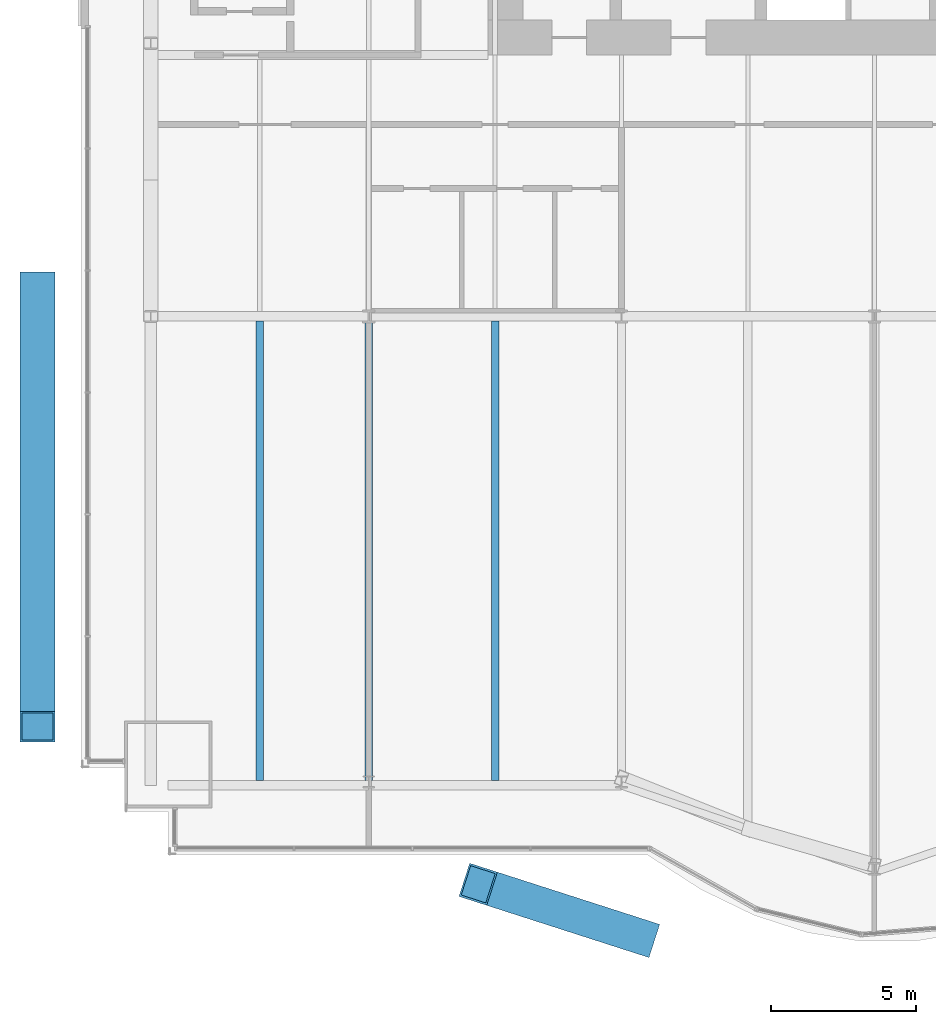
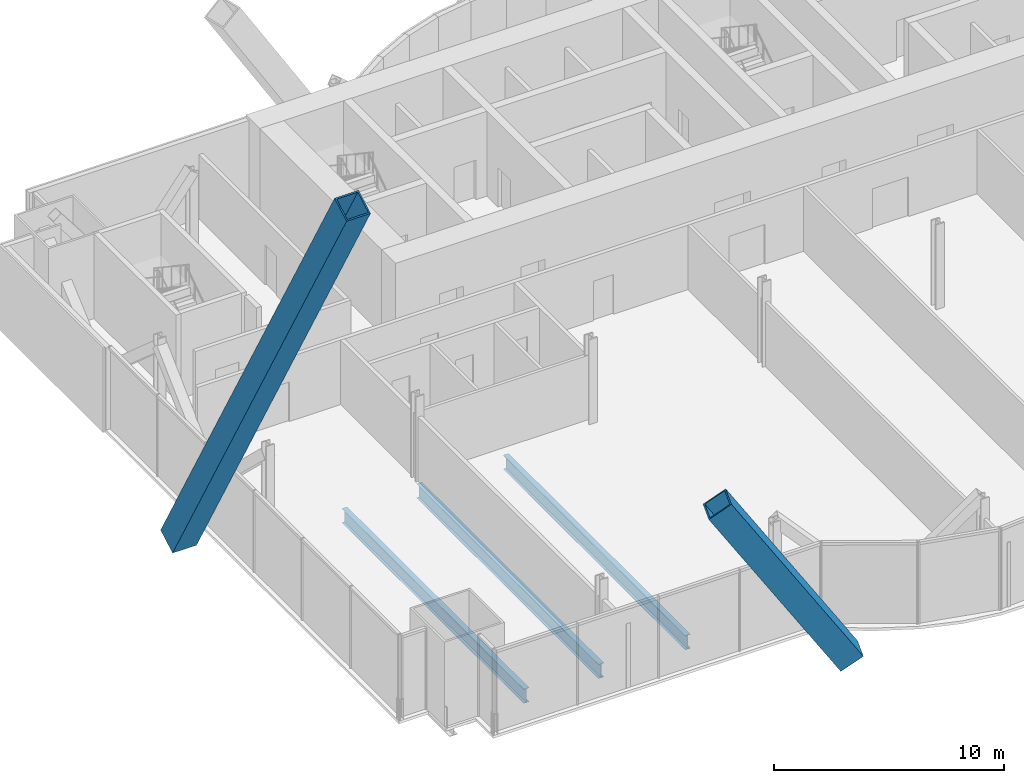
# One storey, part 5 of 23: 3 beams, 2 members.
"""IFC4 building model written with IfcOpenShell, lengths in metres."""

from ifc_helpers import new_model, si_unit, direction, frame, origin, origin_2d, place, context, subcontext, project, spatial, hollow_rectangle, i_section, extrude, material, material_profile, profile_set, type_object, element, save


model = new_model("IFC4")

# Units and contexts
model_context = context("Model", 3, precision=1e-05, world=origin(), true_north=direction((0.0, 1.0)))
body_context = subcontext(model_context, "Body", "Model", "MODEL_VIEW")
ifc_project = project(units=[si_unit("LENGTHUNIT", "METRE"), si_unit("AREAUNIT", "SQUARE_METRE"), si_unit("VOLUMEUNIT", "CUBIC_METRE"), si_unit("PLANEANGLEUNIT", "RADIAN"), si_unit("MASSUNIT", "GRAM", prefix="KILO")], contexts=[model_context])

# Site, building, storey
site_placement = place(None, origin())
site = spatial("IfcSite", under=ifc_project, at=site_placement, CompositionType="ELEMENT")
building_placement = place(site_placement, origin())
building = spatial("IfcBuilding", under=site, at=building_placement, Name="Bicima Exchange Tower", CompositionType="ELEMENT")
storey_placement = place(building_placement, frame((0.0, 0.0, 62.0)))
storey = spatial("IfcBuildingStorey", under=building, at=storey_placement, Name="L12", CompositionType="ELEMENT", Elevation=62.0)

# Members
ifc_material_1 = material(Name="Steel ASTM A572 Gr 50", Category="steel")
ifc_material_profile_1 = material_profile(ifc_material_1, hollow_rectangle(XDim=1.199951171875, YDim=1.199951171875, WallThickness=0.070068359375, at=origin_2d()))
ifc_profile_set_1 = profile_set([ifc_material_profile_1], Name="Steel ASTM A572 Gr 50")
member_type = type_object("IfcMemberType", Name="Exo mega brace BOX 1200x1200x70", PredefinedType="BRACE", material=ifc_profile_set_1)
member_1_placement = place(storey_placement, frame((-16.75, -43.336181640625, 0.22509765625), z_axis=(-0.522800586844, 0.168208785605, 0.835694532016), x_axis=(-0.306282695058, -0.951940602511, 0.0)))
element("IfcMember", 1, at=member_1_placement, inside=storey, type_object=member_type, Name="Exo mega brace front", PredefinedType="BRACE", context=body_context, shape_type="SweptSolid", body=[
    extrude(hollow_rectangle(XDim=1.199951171875, YDim=1.199951171875, WallThickness=0.070068359375, at=origin_2d()), origin(), (0.0, 0.0, 1.0), 10.679443359375),
])
member_2_placement = place(storey_placement, frame((-37.5, -20.98779296875, 0.22509765625), z_axis=(0.0, -0.491844296124, 0.870683173359), x_axis=(1.0, 0.0, 0.0)))
element("IfcMember", 2, at=member_2_placement, inside=storey, type_object=member_type, Name="Exo mega brace end", PredefinedType="BRACE", context=body_context, shape_type="SweptSolid", body=[
    extrude(hollow_rectangle(XDim=1.199951171875, YDim=1.199951171875, WallThickness=0.070068359375, at=origin_2d()), origin(), (0.0, 0.0, 1.0), 30.751708984375),
])

# Beams
ifc_material_2 = material(Name="Steel ASTM A992 Gr 50", Category="steel")
ifc_material_profile_2 = material_profile(ifc_material_2, i_section(OverallWidth=0.2666015625, OverallDepth=0.75439453125, WebThickness=0.01318359375, FlangeThickness=0.01708984375, at=origin_2d()))
ifc_profile_set_2 = profile_set([ifc_material_profile_2], Name="Steel ASTM A992 Gr 50")
beam_type = type_object("IfcBeamType", Name="Floor beam W30x99", PredefinedType="JOIST", material=ifc_profile_set_2)
for number, where, z_axis, x_axis, name in (
    (3, (-29.85009765625, -22.16259765625, -0.527099609375), (0.0, -1.0, 0.0), (1.0, 0.0, 0.0), "Floor beam"),
    (4, (-26.10009765625, -22.16259765625, -0.527099609375), (0.0, -1.0, 0.0), (1.0, 0.0, 0.0), "Floor beam"),
    (5, (-21.75, -22.16259765625, -0.527099609375), (0.0, -1.0, 0.0), (1.0, 0.0, 0.0), "Floor beam"),
):
    element("IfcBeam", number, at=place(storey_placement, frame(where, z_axis=z_axis, x_axis=x_axis)), inside=storey, type_object=beam_type, Name=name, PredefinedType="JOIST", context=body_context, shape_type="SweptSolid", body=[
        extrude(i_section(OverallWidth=0.2666015625, OverallDepth=0.75439453125, WebThickness=0.01318359375, FlangeThickness=0.01708984375, at=origin_2d()), origin(), (0.0, 0.0, 1.0), 15.810791015625),
    ])

save(model, "model.ifc")
